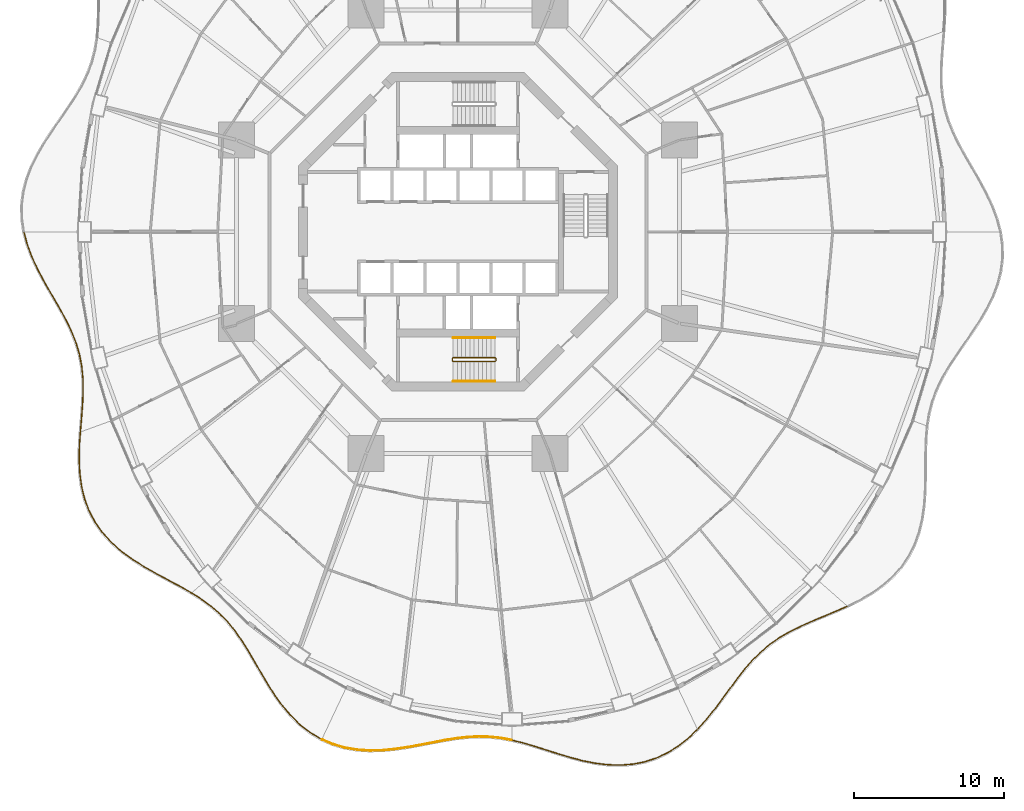
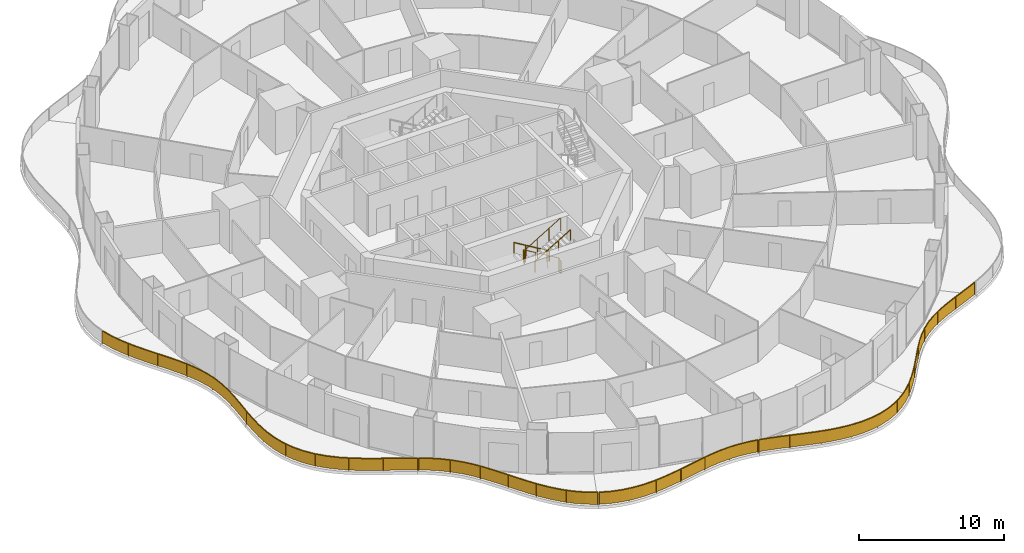
# One storey, part 20 of 22: 9 railings.
"""IFC4 building model written with IfcOpenShell, lengths in metres."""

from ifc_helpers import new_model, si_unit, direction, frame, origin, origin_2d, place, context, subcontext, project, spatial, polyline, rectangle, circle, outline, extrude, material, type_object, element, save


model = new_model("IFC4")

# Units and contexts
model_context = context("Model", 3, precision=1e-05, world=origin(), true_north=direction((0.0, 1.0)))
body_context = subcontext(model_context, "Body", "Model", "MODEL_VIEW")
ifc_project = project(units=[si_unit("LENGTHUNIT", "METRE"), si_unit("AREAUNIT", "SQUARE_METRE"), si_unit("VOLUMEUNIT", "CUBIC_METRE"), si_unit("PLANEANGLEUNIT", "RADIAN"), si_unit("MASSUNIT", "GRAM", prefix="KILO")], contexts=[model_context])

# Site, building, storey
site_placement = place(None, origin())
site = spatial("IfcSite", under=ifc_project, at=site_placement, CompositionType="ELEMENT")
building_placement = place(site_placement, origin())
building = spatial("IfcBuilding", under=site, at=building_placement, Name="Nagisa Residences", CompositionType="ELEMENT")
storey_placement = place(building_placement, frame((0.0, 0.0, 34.39990234375)))
storey = spatial("IfcBuildingStorey", under=building, at=storey_placement, Name="L07", CompositionType="ELEMENT", Elevation=34.39990234375)

# Railings
ifc_material_1 = material(Name="Stainless steel 316", Category="steel")
railing_type_1 = type_object("IfcRailingType", Name="BALCONY GUARD 1100", PredefinedType="BALUSTRADE", material=ifc_material_1)
railing_1_placement = place(storey_placement, frame((-28.944091796875, -0.037353515625, 0.0)))
element("IfcRailing", 1, at=railing_1_placement, inside=storey, type_object=railing_type_1, Name="guard:L07:bal08-0", PredefinedType="BALUSTRADE", context=body_context, shape_type="SweptSolid", body=[
    extrude(outline(polyline([(0.247802734375, -0.827392578125), (0.024169921875, 0.006591796875), (-0.024169921875, -0.006591796875), (0.199951171875, -0.842529296875), (0.527587890625, -1.710693359375), (0.926513671875, -2.561279296875), (1.372802734375, -3.392578125), (1.84033203125, -4.204833984375), (2.30126953125, -4.987060546875), (2.733642578125, -5.771240234375), (3.115234375, -6.550537109375), (3.43017578125, -7.331298828125), (3.668212890625, -8.121826171875), (3.82275390625, -8.915283203125), (3.90380859375, -9.744873046875), (3.917236328125, -10.6005859375), (3.879638671875, -11.48388671875), (3.810791015625, -12.392578125), (3.73583984375, -13.277099609375), (3.78564453125, -13.281494140625), (3.860595703125, -12.396484375), (3.929443359375, -11.48681640625), (3.967529296875, -10.60107421875), (3.95361328125, -9.741943359375), (3.87255859375, -8.907958984375), (3.717041015625, -8.109619140625), (3.4775390625, -7.314697265625), (3.1611328125, -6.530029296875), (2.778076171875, -5.748291015625), (2.3447265625, -4.962158203125), (1.8837890625, -4.179443359375), (1.416748046875, -3.3681640625), (0.971435546875, -2.538818359375), (0.573486328125, -1.691162109375), (0.247802734375, -0.827392578125)])), frame((0.0, 0.0, 1.050048828125)), (0.0, 0.0, 1.0), 0.050048828125),
    extrude(outline(polyline([(0.23046875, -0.832763671875), (0.0068359375, 0.001708984375), (-0.0068359375, -0.001708984375), (0.21728515625, -0.837158203125), (0.544189453125, -1.70361328125), (0.942626953125, -2.55322265625), (1.388671875, -3.3837890625), (1.85595703125, -4.195556640625), (2.31689453125, -4.97802734375), (2.749755859375, -5.762939453125), (3.1318359375, -6.543212890625), (3.447265625, -7.325439453125), (3.685791015625, -8.117431640625), (3.8408203125, -8.91259765625), (3.921630859375, -9.743896484375), (3.935302734375, -10.600830078125), (3.8974609375, -11.48486328125), (3.82861328125, -12.39404296875), (3.753662109375, -13.27880859375), (3.767822265625, -13.27978515625), (3.8427734375, -12.39501953125), (3.91162109375, -11.48583984375), (3.949462890625, -10.600830078125), (3.935791015625, -9.742919921875), (3.8544921875, -8.91064453125), (3.699462890625, -8.114013671875), (3.46044921875, -7.320556640625), (3.14453125, -6.537353515625), (2.761962890625, -5.756591796875), (2.3291015625, -4.97119140625), (1.8681640625, -4.188720703125), (1.40087890625, -3.376953125), (0.955322265625, -2.546875), (0.556884765625, -1.6982421875), (0.23046875, -0.832763671875)])), frame((0.0, 0.0, 0.06005859375)), (0.0, 0.0, 1.0), 0.989990234375),
    extrude(rectangle(XDim=0.0400390625, YDim=0.0400390625, at=origin_2d()), origin(), (0.0, 0.0, 1.0), 1.050048828125),
    extrude(rectangle(XDim=0.0400390625, YDim=0.0400390625, at=origin_2d()), frame((0.79150390625, -2.214111328125, 0.0)), (0.0, 0.0, 1.0), 1.050048828125),
    extrude(rectangle(XDim=0.0400390625, YDim=0.0400390625, at=origin_2d()), frame((1.916259765625, -4.2841796875, 0.0)), (0.0, 0.0, 1.0), 1.050048828125),
    extrude(rectangle(XDim=0.0400390625, YDim=0.0400390625, at=origin_2d()), frame((3.0458984375, -6.351806640625, 0.0)), (0.0, 0.0, 1.0), 1.050048828125),
    extrude(rectangle(XDim=0.0400390625, YDim=0.0400390625, at=origin_2d()), frame((3.783447265625, -8.58203125, 0.0)), (0.0, 0.0, 1.0), 1.050048828125),
    extrude(rectangle(XDim=0.0400390625, YDim=0.0400390625, at=origin_2d()), frame((3.928466796875, -10.9287109375, 0.0)), (0.0, 0.0, 1.0), 1.050048828125),
    extrude(rectangle(XDim=0.0400390625, YDim=0.0400390625, at=origin_2d()), frame((3.7607421875, -13.279296875, 0.0)), (0.0, 0.0, 1.0), 1.050048828125),
])
railing_2_placement = place(storey_placement, frame((-25.1904296875, -13.392822265625, 0.0)))
element("IfcRailing", 2, at=railing_2_placement, inside=storey, type_object=railing_type_1, Name="guard:L07:bal09-0", PredefinedType="BALUSTRADE", context=body_context, shape_type="SweptSolid", body=[
    extrude(outline(polyline([(-0.032470703125, -0.86865234375), (0.02490234375, -0.001708984375), (-0.02490234375, 0.001708984375), (-0.082275390625, -0.86669921875), (-0.101318359375, -1.783203125), (-0.060302734375, -2.6923828125), (0.057861328125, -3.58251953125), (0.267333984375, -4.442138671875), (0.569580078125, -5.247802734375), (0.980712890625, -6.016357421875), (1.49072265625, -6.728515625), (2.09130859375, -7.380859375), (2.76953125, -7.9736328125), (3.5, -8.498779296875), (4.27978515625, -8.98876953125), (5.0810546875, -9.4423828125), (5.882568359375, -9.87255859375), (6.666748046875, -10.29443359375), (7.381103515625, -10.70068359375), (7.406005859375, -10.6572265625), (6.691162109375, -10.25048828125), (5.90625, -9.82861328125), (5.10498046875, -9.3984375), (4.3056640625, -8.94580078125), (3.52783203125, -8.457275390625), (2.80078125, -7.9345703125), (2.12646484375, -7.3447265625), (1.52978515625, -6.69677734375), (1.023193359375, -5.989990234375), (0.615478515625, -5.227294921875), (0.315185546875, -4.427490234375), (0.107177734375, -3.5732421875), (-0.010498046875, -2.68798828125), (-0.051025390625, -1.78271484375), (-0.032470703125, -0.86865234375)])), frame((0.0, 0.0, 1.050048828125)), (0.0, 0.0, 1.0), 0.050048828125),
    extrude(outline(polyline([(-0.05029296875, -0.867919921875), (0.007080078125, -0.00048828125), (-0.007080078125, 0.00048828125), (-0.064453125, -0.867431640625), (-0.083251953125, -1.782958984375), (-0.04248046875, -2.69091796875), (0.07568359375, -3.5791015625), (0.28466796875, -4.436767578125), (0.586181640625, -5.240478515625), (0.99609375, -6.0068359375), (1.5048828125, -6.717041015625), (2.10400390625, -7.367919921875), (2.78076171875, -7.95947265625), (3.510009765625, -8.48388671875), (4.2890625, -8.973388671875), (5.089599609375, -9.426513671875), (5.89111328125, -9.856689453125), (6.675537109375, -10.278564453125), (7.39013671875, -10.68505859375), (7.39697265625, -10.6728515625), (6.682373046875, -10.266357421875), (5.89794921875, -9.844482421875), (5.096435546875, -9.414306640625), (4.29638671875, -8.961181640625), (3.517822265625, -8.47216796875), (2.78955078125, -7.94873046875), (2.11376953125, -7.357666015625), (1.515625, -6.708251953125), (1.0078125, -5.99951171875), (0.598876953125, -5.234619140625), (0.2978515625, -4.432861328125), (0.08935546875, -3.57666015625), (-0.0283203125, -2.689453125), (-0.069091796875, -1.782958984375), (-0.05029296875, -0.867919921875)])), frame((0.0, 0.0, 0.06005859375)), (0.0, 0.0, 1.0), 0.989990234375),
    extrude(rectangle(XDim=0.0400390625, YDim=0.0400390625, at=origin_2d()), origin(), (0.0, 0.0, 1.0), 1.050048828125),
    extrude(rectangle(XDim=0.0400390625, YDim=0.0400390625, at=origin_2d()), frame((-0.050048828125, -2.36572265625, 0.0)), (0.0, 0.0, 1.0), 1.050048828125),
    extrude(rectangle(XDim=0.0400390625, YDim=0.0400390625, at=origin_2d()), frame((0.384765625, -4.68408203125, 0.0)), (0.0, 0.0, 1.0), 1.050048828125),
    extrude(rectangle(XDim=0.0400390625, YDim=0.0400390625, at=origin_2d()), frame((1.53466796875, -6.7392578125, 0.0)), (0.0, 0.0, 1.0), 1.050048828125),
    extrude(rectangle(XDim=0.0400390625, YDim=0.0400390625, at=origin_2d()), frame((3.29052734375, -8.3173828125, 0.0)), (0.0, 0.0, 1.0), 1.050048828125),
    extrude(rectangle(XDim=0.0400390625, YDim=0.0400390625, at=origin_2d()), frame((5.31689453125, -9.54052734375, 0.0)), (0.0, 0.0, 1.0), 1.050048828125),
    extrude(rectangle(XDim=0.0400390625, YDim=0.0400390625, at=origin_2d()), frame((7.3935546875, -10.678955078125, 0.0)), (0.0, 0.0, 1.0), 1.050048828125),
])
railing_3_placement = place(storey_placement, frame((-17.7333984375, -24.107666015625, 0.0)))
element("IfcRailing", 3, at=railing_3_placement, inside=storey, type_object=railing_type_1, Name="guard:L07:bal10-0", PredefinedType="BALUSTRADE", context=body_context, shape_type="SweptSolid", body=[
    extrude(outline(polyline([(0.653076171875, -0.384765625), (0.013427734375, 0.021240234375), (-0.013427734375, -0.021240234375), (0.624755859375, -0.42626953125), (1.251708984375, -0.886962890625), (1.82958984375, -1.388427734375), (2.3603515625, -1.9375), (2.849365234375, -2.53662109375), (3.293701171875, -3.174072265625), (3.72802734375, -3.865966796875), (4.154296875, -4.593017578125), (4.5859375, -5.342041015625), (5.0361328125, -6.09765625), (5.50341796875, -6.83349609375), (6.026611328125, -7.549072265625), (6.5986328125, -8.217041015625), (7.225341796875, -8.820556640625), (7.907470703125, -9.344482421875), (8.6005859375, -9.753173828125), (8.6259765625, -9.710205078125), (7.935302734375, -9.302978515625), (7.258056640625, -8.782470703125), (6.63525390625, -8.182861328125), (6.065673828125, -7.517822265625), (5.544921875, -6.80517578125), (5.07861328125, -6.0712890625), (4.62890625, -5.316650390625), (4.19775390625, -4.567626953125), (3.77099609375, -3.840087890625), (3.335205078125, -3.146240234375), (2.889404296875, -2.50634765625), (2.39794921875, -1.904296875), (1.8642578125, -1.352294921875), (1.282958984375, -0.847900390625), (0.653076171875, -0.384765625)])), frame((0.0, 0.0, 1.050048828125)), (0.0, 0.0, 1.0), 0.050048828125),
    extrude(outline(polyline([(0.642822265625, -0.399658203125), (0.003662109375, 0.005859375), (-0.003662109375, -0.005859375), (0.635009765625, -0.411376953125), (1.262939453125, -0.872802734375), (1.842041015625, -1.37548828125), (2.3740234375, -1.925537109375), (2.86376953125, -2.525634765625), (3.30859375, -3.1640625), (3.743408203125, -3.856689453125), (4.169921875, -4.583740234375), (4.601318359375, -5.332763671875), (5.051513671875, -6.088134765625), (5.518310546875, -6.8232421875), (6.040771484375, -7.537841796875), (6.61181640625, -8.204833984375), (7.237060546875, -8.806884765625), (7.91748046875, -9.32958984375), (8.609619140625, -9.73779296875), (8.616943359375, -9.7255859375), (7.92529296875, -9.31787109375), (7.246337890625, -8.796142578125), (6.6220703125, -8.195068359375), (6.051513671875, -7.529052734375), (5.530029296875, -6.8154296875), (5.063232421875, -6.080810546875), (4.613525390625, -5.325927734375), (4.18212890625, -4.576904296875), (3.755615234375, -3.849365234375), (3.3203125, -3.15625), (2.875, -2.517333984375), (2.38427734375, -1.916259765625), (1.851806640625, -1.365234375), (1.271728515625, -0.862060546875), (0.642822265625, -0.399658203125)])), frame((0.0, 0.0, 0.06005859375)), (0.0, 0.0, 1.0), 0.989990234375),
    extrude(rectangle(XDim=0.0400390625, YDim=0.0400390625, at=origin_2d()), origin(), (0.0, 0.0, 1.0), 1.050048828125),
    extrude(rectangle(XDim=0.0400390625, YDim=0.0400390625, at=origin_2d()), frame((1.766845703125, -1.301025390625, 0.0)), (0.0, 0.0, 1.0), 1.050048828125),
    extrude(rectangle(XDim=0.0400390625, YDim=0.0400390625, at=origin_2d()), frame((3.1845703125, -2.9736328125, 0.0)), (0.0, 0.0, 1.0), 1.050048828125),
    extrude(rectangle(XDim=0.0400390625, YDim=0.0400390625, at=origin_2d()), frame((4.33056640625, -4.848388671875, 0.0)), (0.0, 0.0, 1.0), 1.050048828125),
    extrude(rectangle(XDim=0.0400390625, YDim=0.0400390625, at=origin_2d()), frame((5.467041015625, -6.7294921875, 0.0)), (0.0, 0.0, 1.0), 1.050048828125),
    extrude(rectangle(XDim=0.0400390625, YDim=0.0400390625, at=origin_2d()), frame((6.854248046875, -8.428466796875, 0.0)), (0.0, 0.0, 1.0), 1.050048828125),
    extrude(rectangle(XDim=0.0400390625, YDim=0.0400390625, at=origin_2d()), frame((8.61328125, -9.731689453125, 0.0)), (0.0, 0.0, 1.0), 1.050048828125),
])
railing_4_placement = place(storey_placement, frame((-9.051025390625, -33.874267578125, 0.0)))
element("IfcRailing", 4, at=railing_4_placement, inside=storey, type_object=railing_type_1, Name="guard:L07:bal11-0", PredefinedType="BALUSTRADE", context=body_context, shape_type="SweptSolid", body=[
    extrude(outline(polyline([(0.717041015625, -0.281494140625), (0.010009765625, 0.02294921875), (-0.010009765625, -0.02294921875), (0.699951171875, -0.328857421875), (1.4931640625, -0.560546875), (2.31640625, -0.701171875), (3.16015625, -0.7568359375), (4.014892578125, -0.738037109375), (4.85498046875, -0.6533203125), (5.705078125, -0.528564453125), (6.542724609375, -0.377197265625), (7.36279296875, -0.21728515625), (8.16357421875, -0.06640625), (8.926513671875, 0.06103515625), (9.68896484375, 0.146484375), (10.437744140625, 0.181396484375), (11.17724609375, 0.16015625), (11.9140625, 0.080322265625), (12.611572265625, -0.048828125), (12.620849609375, 0.00048828125), (11.92138671875, 0.129638671875), (11.1806640625, 0.2099609375), (10.437255859375, 0.231689453125), (9.68505859375, 0.1962890625), (8.919677734375, 0.11083984375), (8.15478515625, -0.01708984375), (7.353515625, -0.16796875), (6.533447265625, -0.327880859375), (5.69677734375, -0.479248046875), (4.8486328125, -0.603515625), (4.011962890625, -0.688232421875), (3.1611328125, -0.70654296875), (2.322265625, -0.6513671875), (1.50439453125, -0.51171875), (0.717041015625, -0.281494140625)])), frame((0.0, 0.0, 1.050048828125)), (0.0, 0.0, 1.0), 0.050048828125),
    extrude(outline(polyline([(0.7109375, -0.298583984375), (0.002685546875, 0.00634765625), (-0.002685546875, -0.00634765625), (0.7060546875, -0.311767578125), (1.497314453125, -0.54296875), (2.318603515625, -0.683349609375), (3.160400390625, -0.73876953125), (4.013916015625, -0.72021484375), (4.852783203125, -0.63525390625), (5.7021484375, -0.5107421875), (6.539306640625, -0.359375), (7.359375, -0.199462890625), (8.160400390625, -0.048583984375), (8.924072265625, 0.0791015625), (9.6875, 0.164306640625), (10.4375, 0.199462890625), (11.178466796875, 0.177978515625), (11.916748046875, 0.09814453125), (12.614990234375, -0.031005859375), (12.617431640625, -0.017333984375), (11.918701171875, 0.11181640625), (11.179443359375, 0.192138671875), (10.4375, 0.213623046875), (9.6865234375, 0.178466796875), (8.922119140625, 0.0927734375), (8.157958984375, -0.034912109375), (7.35693359375, -0.185791015625), (6.536865234375, -0.345703125), (5.69970703125, -0.4970703125), (4.850830078125, -0.62158203125), (4.012939453125, -0.7060546875), (3.160888671875, -0.724609375), (2.320068359375, -0.669189453125), (1.500244140625, -0.529296875), (0.7109375, -0.298583984375)])), frame((0.0, 0.0, 0.06005859375)), (0.0, 0.0, 1.0), 0.989990234375),
    extrude(rectangle(XDim=0.0400390625, YDim=0.0400390625, at=origin_2d()), origin(), (0.0, 0.0, 1.0), 1.050048828125),
    extrude(rectangle(XDim=0.0400390625, YDim=0.0400390625, at=origin_2d()), frame((2.0322265625, -0.627197265625, 0.0)), (0.0, 0.0, 1.0), 1.050048828125),
    extrude(rectangle(XDim=0.0400390625, YDim=0.0400390625, at=origin_2d()), frame((4.1611328125, -0.6982421875, 0.0)), (0.0, 0.0, 1.0), 1.050048828125),
    extrude(rectangle(XDim=0.0400390625, YDim=0.0400390625, at=origin_2d()), frame((6.275146484375, -0.400146484375, 0.0)), (0.0, 0.0, 1.0), 1.050048828125),
    extrude(rectangle(XDim=0.0400390625, YDim=0.0400390625, at=origin_2d()), frame((8.374267578125, -0.005859375, 0.0)), (0.0, 0.0, 1.0), 1.050048828125),
    extrude(rectangle(XDim=0.0400390625, YDim=0.0400390625, at=origin_2d()), frame((10.496826171875, 0.204833984375, 0.0)), (0.0, 0.0, 1.0), 1.050048828125),
    extrude(rectangle(XDim=0.0400390625, YDim=0.0400390625, at=origin_2d()), frame((12.6162109375, -0.024169921875, 0.0)), (0.0, 0.0, 1.0), 1.050048828125),
])
railing_5_placement = place(storey_placement, frame((3.63427734375, -33.915283203125, 0.0)))
element("IfcRailing", 5, at=railing_5_placement, inside=storey, type_object=railing_type_1, Name="guard:L07:bal12-0", PredefinedType="BALUSTRADE", context=body_context, shape_type="SweptSolid", body=[
    extrude(outline(polyline([(0.714599609375, -0.15234375), (0.006103515625, 0.024169921875), (-0.006103515625, -0.024169921875), (0.701416015625, -0.20068359375), (1.4658203125, -0.4248046875), (2.24755859375, -0.673095703125), (3.04833984375, -0.9287109375), (3.8671875, -1.173095703125), (4.683837890625, -1.39013671875), (5.52880859375, -1.55615234375), (6.377685546875, -1.6572265625), (7.222412109375, -1.6796875), (8.054931640625, -1.612548828125), (8.849365234375, -1.45458984375), (9.631591796875, -1.194091796875), (10.3779296875, -0.838623046875), (11.0830078125, -0.39453125), (11.744384765625, 0.127685546875), (12.32568359375, 0.6826171875), (12.291015625, 0.71875), (11.711669921875, 0.165283203125), (11.05419921875, -0.353515625), (10.353515625, -0.794677734375), (9.613037109375, -1.147705078125), (8.836669921875, -1.40625), (8.048095703125, -1.562744140625), (7.220947265625, -1.62939453125), (6.381103515625, -1.607421875), (5.53662109375, -1.5068359375), (4.695068359375, -1.34130859375), (3.880859375, -1.124755859375), (3.06298828125, -0.880859375), (2.2626953125, -0.625244140625), (1.48046875, -0.376953125), (0.714599609375, -0.15234375)])), frame((0.0, 0.0, 1.050048828125)), (0.0, 0.0, 1.0), 0.050048828125),
    extrude(outline(polyline([(0.7099609375, -0.169677734375), (0.001708984375, 0.0068359375), (-0.001708984375, -0.0068359375), (0.7060546875, -0.183349609375), (1.47119140625, -0.407470703125), (2.2529296875, -0.65576171875), (3.0537109375, -0.911376953125), (3.8720703125, -1.15576171875), (4.68798828125, -1.37255859375), (5.53173828125, -1.538330078125), (6.37890625, -1.639404296875), (7.221923828125, -1.66162109375), (8.052490234375, -1.594482421875), (8.8447265625, -1.437255859375), (9.625, -1.177490234375), (10.369140625, -0.82275390625), (11.07275390625, -0.379638671875), (11.732666015625, 0.14111328125), (12.313232421875, 0.695556640625), (12.303466796875, 0.705810546875), (11.723388671875, 0.15185546875), (11.064453125, -0.368408203125), (10.3623046875, -0.810546875), (9.61962890625, -1.164306640625), (8.84130859375, -1.423583984375), (8.050537109375, -1.580810546875), (7.221435546875, -1.6474609375), (6.3798828125, -1.625244140625), (5.53369140625, -1.524658203125), (4.69091796875, -1.35888671875), (3.8759765625, -1.14208984375), (3.0576171875, -0.898193359375), (2.25732421875, -0.642578125), (1.47509765625, -0.394287109375), (0.7099609375, -0.169677734375)])), frame((0.0, 0.0, 0.06005859375)), (0.0, 0.0, 1.0), 0.989990234375),
    extrude(rectangle(XDim=0.0400390625, YDim=0.0400390625, at=origin_2d()), origin(), (0.0, 0.0, 1.0), 1.050048828125),
    extrude(rectangle(XDim=0.0400390625, YDim=0.0400390625, at=origin_2d()), frame((2.1142578125, -0.6044921875, 0.0)), (0.0, 0.0, 1.0), 1.050048828125),
    extrude(rectangle(XDim=0.0400390625, YDim=0.0400390625, at=origin_2d()), frame((4.219482421875, -1.24072265625, 0.0)), (0.0, 0.0, 1.0), 1.050048828125),
    extrude(rectangle(XDim=0.0400390625, YDim=0.0400390625, at=origin_2d()), frame((6.380615234375, -1.63232421875, 0.0)), (0.0, 0.0, 1.0), 1.050048828125),
    extrude(rectangle(XDim=0.0400390625, YDim=0.0400390625, at=origin_2d()), frame((8.567138671875, -1.485107421875, 0.0)), (0.0, 0.0, 1.0), 1.050048828125),
    extrude(rectangle(XDim=0.0400390625, YDim=0.0400390625, at=origin_2d()), frame((10.59716796875, -0.6708984375, 0.0)), (0.0, 0.0, 1.0), 1.050048828125),
    extrude(rectangle(XDim=0.0400390625, YDim=0.0400390625, at=origin_2d()), frame((12.308349609375, 0.70068359375, 0.0)), (0.0, 0.0, 1.0), 1.050048828125),
])
railing_6_placement = place(storey_placement, frame((15.995849609375, -33.15869140625, 0.0)))
element("IfcRailing", 6, at=railing_6_placement, inside=storey, type_object=railing_type_1, Name="guard:L07:bal13-0", PredefinedType="BALUSTRADE", context=body_context, shape_type="SweptSolid", body=[
    extrude(outline(polyline([(0.5439453125, 0.640869140625), (-0.0185546875, 0.016845703125), (0.0185546875, -0.016845703125), (0.58203125, 0.608154296875), (1.140625, 1.299560546875), (1.66943359375, 2.00390625), (2.1787109375, 2.70263671875), (2.6806640625, 3.379150390625), (3.17333984375, 4.01025390625), (3.696533203125, 4.60400390625), (4.248046875, 5.14599609375), (4.83544921875, 5.634521484375), (5.465087890625, 6.072021484375), (6.127197265625, 6.454833984375), (6.844482421875, 6.813720703125), (7.599853515625, 7.150634765625), (8.384033203125, 7.47900390625), (9.184814453125, 7.814453125), (9.94677734375, 8.14990234375), (9.9267578125, 8.19580078125), (9.165283203125, 7.8603515625), (8.364501953125, 7.525390625), (7.579833984375, 7.196533203125), (6.822998046875, 6.859130859375), (6.103271484375, 6.498779296875), (5.438232421875, 6.114501953125), (4.80517578125, 5.674560546875), (4.21435546875, 5.18310546875), (3.660400390625, 4.638671875), (3.134765625, 4.0419921875), (2.640625, 3.409423828125), (2.13818359375, 2.732421875), (1.62939453125, 2.03369140625), (1.10107421875, 1.330322265625), (0.5439453125, 0.640869140625)])), frame((0.0, 0.0, 1.050048828125)), (0.0, 0.0, 1.0), 0.050048828125),
    extrude(outline(polyline([(0.5576171875, 0.629150390625), (-0.005126953125, 0.004638671875), (0.005126953125, -0.004638671875), (0.568359375, 0.619873046875), (1.12646484375, 1.310546875), (1.655029296875, 2.0146484375), (2.1640625, 2.71337890625), (2.666259765625, 3.39013671875), (3.159423828125, 4.021728515625), (3.68359375, 4.616455078125), (4.23583984375, 5.159423828125), (4.824462890625, 5.64892578125), (5.455322265625, 6.08740234375), (6.11865234375, 6.470703125), (6.836669921875, 6.830078125), (7.592529296875, 7.167236328125), (8.376953125, 7.495849609375), (9.177734375, 7.8310546875), (9.939697265625, 8.16650390625), (9.933837890625, 8.17919921875), (9.17236328125, 7.84375), (8.37158203125, 7.508544921875), (7.587158203125, 7.179931640625), (6.830810546875, 6.8427734375), (6.11181640625, 6.48291015625), (5.447998046875, 6.09912109375), (4.816162109375, 5.66015625), (4.2265625, 5.169677734375), (3.67333984375, 4.626220703125), (3.148681640625, 4.030517578125), (2.655029296875, 3.3984375), (2.15283203125, 2.7216796875), (1.643798828125, 2.02294921875), (1.115234375, 1.3193359375), (0.5576171875, 0.629150390625)])), frame((0.0, 0.0, 0.06005859375)), (0.0, 0.0, 1.0), 0.989990234375),
    extrude(rectangle(XDim=0.0400390625, YDim=0.0400390625, at=origin_2d()), origin(), (0.0, 0.0, 1.0), 1.050048828125),
    extrude(rectangle(XDim=0.0400390625, YDim=0.0400390625, at=origin_2d()), frame((1.40087890625, 1.68798828125, 0.0)), (0.0, 0.0, 1.0), 1.050048828125),
    extrude(rectangle(XDim=0.0400390625, YDim=0.0400390625, at=origin_2d()), frame((2.7060546875, 3.45263671875, 0.0)), (0.0, 0.0, 1.0), 1.050048828125),
    extrude(rectangle(XDim=0.0400390625, YDim=0.0400390625, at=origin_2d()), frame((4.1591796875, 5.09375, 0.0)), (0.0, 0.0, 1.0), 1.050048828125),
    extrude(rectangle(XDim=0.0400390625, YDim=0.0400390625, at=origin_2d()), frame((5.935546875, 6.372802734375, 0.0)), (0.0, 0.0, 1.0), 1.050048828125),
    extrude(rectangle(XDim=0.0400390625, YDim=0.0400390625, at=origin_2d()), frame((7.918212890625, 7.31103515625, 0.0)), (0.0, 0.0, 1.0), 1.050048828125),
    extrude(rectangle(XDim=0.0400390625, YDim=0.0400390625, at=origin_2d()), frame((9.936767578125, 8.1728515625, 0.0)), (0.0, 0.0, 1.0), 1.050048828125),
])
ifc_material_2 = material(Name="Stainless steel", Category="steel")
railing_type_2 = type_object("IfcRailingType", Name="Stair guard 1100", PredefinedType="GUARDRAIL", material=ifc_material_2)
railing_7_placement = place(storey_placement, frame((2.52490234375, -8.599609375, 0.0)))
element("IfcRailing", 7, at=railing_7_placement, inside=storey, type_object=railing_type_2, Name="L07 ST-S stair guard 1", PredefinedType="GUARDRAIL", context=body_context, shape_type="SweptSolid", body=[
    extrude(circle(Radius=0.02392578125, at=origin_2d()), frame((0.0, 0.0, 1.076171875), z_axis=(0.0, 1.0, 0.0), x_axis=(-1.0, 0.0, 0.0)), (0.0, 0.0, 1.0), 0.14990234375),
    extrude(circle(Radius=0.02392578125, at=origin_2d()), frame((0.0, 0.14990234375, 1.076171875), z_axis=(-0.273006030465, 0.27434429532, 0.922064485248), x_axis=(-0.708833529934, -0.705375805398, 0.0)), (0.0, 0.0, 1.0), 0.182373046875),
    extrude(circle(Radius=0.02392578125, at=origin_2d()), frame((-0.0498046875, 0.199951171875, 1.244140625), z_axis=(-0.857242210791, 0.0, 0.514913383045), x_axis=(0.0, -1.0, 0.0)), (0.0, 0.0, 1.0), 3.266357421875),
    extrude(circle(Radius=0.02392578125, at=origin_2d()), frame((-2.849853515625, 0.199951171875, 2.92626953125), z_axis=(-0.707106781187, -0.707106781187, 0.0), x_axis=(0.707106781187, -0.707106781187, 0.0)), (0.0, 0.0, 1.0), 0.07080078125),
    extrude(circle(Radius=0.02392578125, at=origin_2d()), frame((-2.89990234375, 0.14990234375, 2.92626953125), z_axis=(0.0, -1.0, 0.0), x_axis=(1.0, 0.0, 0.0)), (0.0, 0.0, 1.0), 0.14990234375),
    extrude(circle(Radius=0.02392578125, at=origin_2d()), frame((-2.89990234375, 0.0, 2.92626953125), z_axis=(0.274243871929, -0.274243871929, 0.92172696468), x_axis=(0.707106781187, 0.707106781187, 0.0)), (0.0, 0.0, 1.0), 0.1826171875),
    extrude(circle(Radius=0.02392578125, at=origin_2d()), frame((-2.849853515625, -0.050048828125, 3.09423828125), z_axis=(0.857242210791, 0.0, 0.514913383045), x_axis=(0.0, 1.0, 0.0)), (0.0, 0.0, 1.0), 3.266357421875),
    extrude(circle(Radius=0.02099609375, at=origin_2d()), origin(), (0.0, 0.0, 1.0), 1.052001953125),
    extrude(circle(Radius=0.02099609375, at=origin_2d()), frame((0.0, 0.14990234375, 0.0)), (0.0, 0.0, 1.0), 1.052001953125),
    extrude(circle(Radius=0.02099609375, at=origin_2d()), frame((-0.0498046875, 0.199951171875, 0.168212890625)), (0.0, 0.0, 1.0), 1.052001953125),
    extrude(circle(Radius=0.02099609375, at=origin_2d()), frame((-0.983154296875, 0.199951171875, 0.728759765625)), (0.0, 0.0, 1.0), 1.052001953125),
    extrude(circle(Radius=0.02099609375, at=origin_2d()), frame((-1.91650390625, 0.199951171875, 1.28955078125)), (0.0, 0.0, 1.0), 1.052001953125),
    extrude(circle(Radius=0.02099609375, at=origin_2d()), frame((-2.849853515625, 0.199951171875, 1.85009765625)), (0.0, 0.0, 1.0), 1.052001953125),
    extrude(circle(Radius=0.02099609375, at=origin_2d()), frame((-2.89990234375, 0.14990234375, 1.85009765625)), (0.0, 0.0, 1.0), 1.052001953125),
    extrude(circle(Radius=0.02099609375, at=origin_2d()), frame((-2.89990234375, 0.0, 1.85009765625)), (0.0, 0.0, 1.0), 1.052001953125),
    extrude(circle(Radius=0.02099609375, at=origin_2d()), frame((-2.849853515625, -0.050048828125, 2.018310546875)), (0.0, 0.0, 1.0), 1.052001953125),
    extrude(circle(Radius=0.02099609375, at=origin_2d()), frame((-1.91650390625, -0.050048828125, 2.578857421875)), (0.0, 0.0, 1.0), 1.052001953125),
    extrude(circle(Radius=0.02099609375, at=origin_2d()), frame((-0.983154296875, -0.050048828125, 3.1396484375)), (0.0, 0.0, 1.0), 1.052001953125),
    extrude(circle(Radius=0.02099609375, at=origin_2d()), frame((-0.0498046875, -0.050048828125, 3.7001953125)), (0.0, 0.0, 1.0), 1.052001953125),
])
ifc_material_3 = material(Name="Stainless steel", Category="steel")
railing_type_3 = type_object("IfcRailingType", Name="Stair handrail 900", PredefinedType="HANDRAIL", material=ifc_material_3)
railing_8_placement = place(storey_placement, frame((2.47509765625, -7.07470703125, 0.168212890625)))
element("IfcRailing", 8, at=railing_8_placement, inside=storey, type_object=railing_type_3, Name="L07 ST-S stair handrail 1", PredefinedType="HANDRAIL", context=body_context, shape_type="SweptSolid", body=[
    extrude(circle(Radius=0.02392578125, at=origin_2d()), frame((0.0, 0.0, 0.8759765625), z_axis=(-0.857242210791, 0.0, 0.514913383045), x_axis=(0.0, -1.0, 0.0)), (0.0, 0.0, 1.0), 3.266357421875),
    extrude(circle(Radius=0.02099609375, at=origin_2d()), origin(), (0.0, 0.0, 1.0), 0.851806640625),
    extrude(circle(Radius=0.02099609375, at=origin_2d()), frame((-0.933349609375, 0.0, 0.560546875)), (0.0, 0.0, 1.0), 0.851806640625),
    extrude(circle(Radius=0.02099609375, at=origin_2d()), frame((-1.86669921875, 0.0, 1.121337890625)), (0.0, 0.0, 1.0), 0.851806640625),
    extrude(circle(Radius=0.02099609375, at=origin_2d()), frame((-2.800048828125, 0.0, 1.681884765625)), (0.0, 0.0, 1.0), 0.851806640625),
])
railing_9_placement = place(storey_placement, frame((-0.324951171875, -9.974609375, 2.018310546875)))
element("IfcRailing", 9, at=railing_9_placement, inside=storey, type_object=railing_type_3, Name="L07 ST-S stair handrail 2", PredefinedType="HANDRAIL", context=body_context, shape_type="SweptSolid", body=[
    extrude(circle(Radius=0.02392578125, at=origin_2d()), frame((0.0, 0.0, 0.8759765625), z_axis=(0.857242210791, 0.0, 0.514913383045), x_axis=(0.0, 1.0, 0.0)), (0.0, 0.0, 1.0), 3.266357421875),
    extrude(circle(Radius=0.02099609375, at=origin_2d()), origin(), (0.0, 0.0, 1.0), 0.851806640625),
    extrude(circle(Radius=0.02099609375, at=origin_2d()), frame((0.933349609375, 0.0, 0.560546875)), (0.0, 0.0, 1.0), 0.851806640625),
    extrude(circle(Radius=0.02099609375, at=origin_2d()), frame((1.86669921875, 0.0, 1.121337890625)), (0.0, 0.0, 1.0), 0.851806640625),
    extrude(circle(Radius=0.02099609375, at=origin_2d()), frame((2.800048828125, 0.0, 1.681884765625)), (0.0, 0.0, 1.0), 0.851806640625),
])

save(model, "model.ifc")
